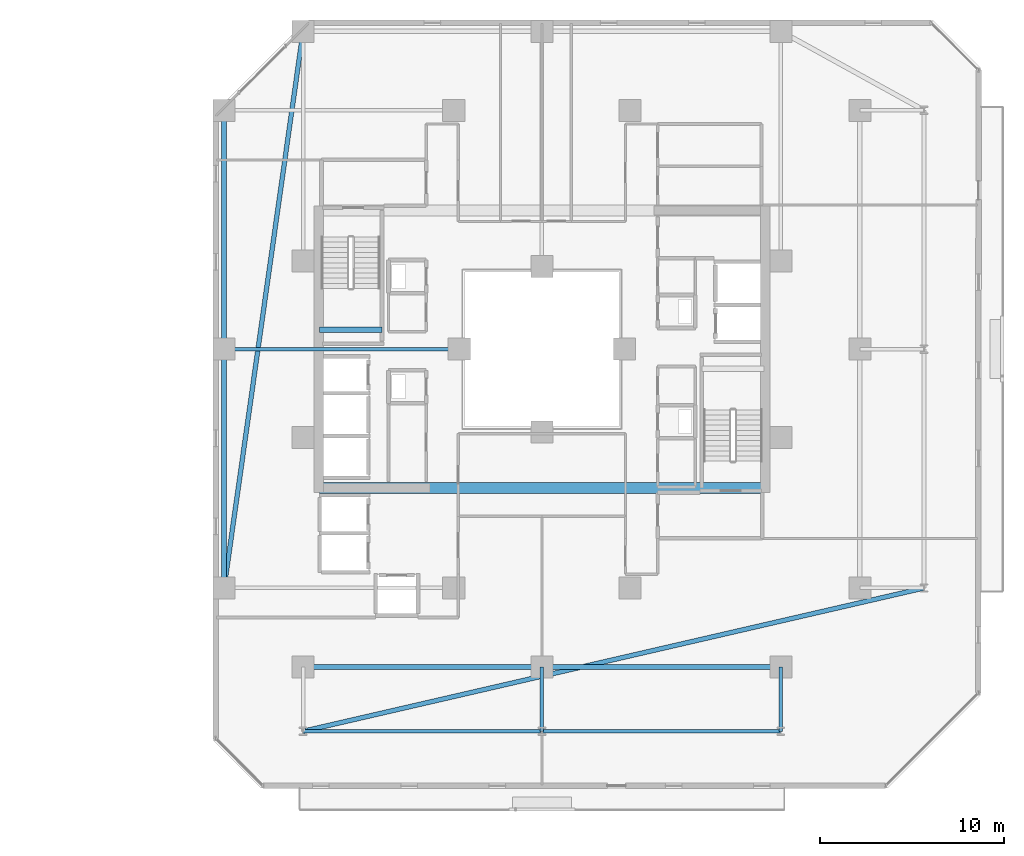
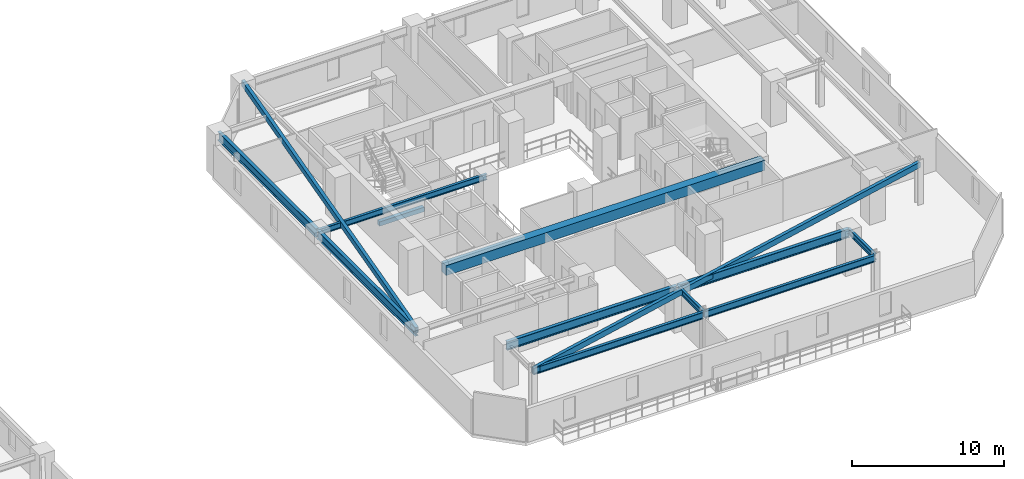
# One storey, part 11 of 33: 13 beams.
"""IFC4 building model written with IfcOpenShell, lengths in metres."""

from ifc_helpers import new_model, si_unit, direction, frame, origin, origin_2d, place, context, subcontext, project, spatial, rectangle, hollow_rectangle, i_section, extrude, material, material_profile, profile_set, type_object, element, save


model = new_model("IFC4")

# Units and contexts
model_context = context("Model", 3, precision=1e-05, world=origin(), true_north=direction((0.0, 1.0)))
body_context = subcontext(model_context, "Body", "Model", "MODEL_VIEW")
ifc_project = project(units=[si_unit("LENGTHUNIT", "METRE"), si_unit("AREAUNIT", "SQUARE_METRE"), si_unit("VOLUMEUNIT", "CUBIC_METRE"), si_unit("PLANEANGLEUNIT", "RADIAN"), si_unit("MASSUNIT", "GRAM", prefix="KILO")], contexts=[model_context])

# Site, building, storey
site_placement = place(None, origin())
site = spatial("IfcSite", under=ifc_project, at=site_placement, CompositionType="ELEMENT")
building_placement = place(site_placement, origin())
building = spatial("IfcBuilding", under=site, at=building_placement, Name="Thornwick Lancets Civic Towers", CompositionType="ELEMENT")
storey_placement = place(building_placement, frame((0.0, 0.0, 134.10009765625)))
storey = spatial("IfcBuildingStorey", under=building, at=storey_placement, Name="L35", CompositionType="ELEMENT", Elevation=134.10009765625)

# Beams
ifc_material_1 = material(Name="Concrete C60/75", Category="concrete")
ifc_material_profile_1 = material_profile(ifc_material_1, rectangle(XDim=0.60009765625, YDim=0.800048828125, at=origin_2d()), Name="RC 600x800")
ifc_profile_set_1 = profile_set([ifc_material_profile_1], Name="Concrete C60/75")
beam_type_1 = type_object("IfcBeamType", Name="BM_COUP_RC800", PredefinedType="BEAM", material=ifc_profile_set_1)
beam_1_placement = place(storey_placement, frame((76.39990234375, 19.449951171875, 2.9599609375), z_axis=(1.0, 0.0, 0.0), x_axis=(0.0, 1.0, 0.0)))
element("IfcBeam", 1, at=beam_1_placement, inside=storey, type_object=beam_type_1, Name="CB-L35-B2", PredefinedType="BEAM", context=body_context, shape_type="SweptSolid", body=[
    extrude(rectangle(XDim=0.60009765625, YDim=0.800048828125, at=origin_2d()), origin(), (0.0, 0.0, 1.0), 24.2001953125),
])
ifc_material_2 = material(Name="Steel S355JR", Category="steel")
ifc_material_profile_2 = material_profile(ifc_material_2, i_section(OverallWidth=0.2119140625, OverallDepth=0.54443359375, WebThickness=0.0126953125, FlangeThickness=0.021240234375, FilletRadius=0.0126953125, at=origin_2d()), Name="UKB 533x210x122")
ifc_profile_set_2 = profile_set([ifc_material_profile_2], Name="Steel S355JR")
beam_type_2 = type_object("IfcBeamType", Name="BM_EDGE_533_122", PredefinedType="SPANDREL", material=ifc_profile_set_2)
beam_2_placement = place(storey_placement, frame((101.5, 6.199951171875, 3.087646484375), z_axis=(-1.0, 0.0, 0.0), x_axis=(0.0, -1.0, 0.0)))
element("IfcBeam", 2, at=beam_2_placement, inside=storey, type_object=beam_type_2, Name="BM-EDGE-L35-B-S3-1", PredefinedType="SPANDREL", context=body_context, shape_type="SweptSolid", body=[
    extrude(i_section(OverallWidth=0.2119140625, OverallDepth=0.54443359375, WebThickness=0.0126953125, FlangeThickness=0.021240234375, FilletRadius=0.0126953125, at=origin_2d()), origin(), (0.0, 0.0, 1.0), 13.0),
])
beam_3_placement = place(storey_placement, frame((88.419921875, 6.199951171875, 3.087646484375), z_axis=(-1.0, 0.0, 0.0), x_axis=(0.0, -1.0, 0.0)))
element("IfcBeam", 3, at=beam_3_placement, inside=storey, type_object=beam_type_2, Name="BM-EDGE-L35-B-S3-2", PredefinedType="SPANDREL", context=body_context, shape_type="SweptSolid", body=[
    extrude(i_section(OverallWidth=0.2119140625, OverallDepth=0.54443359375, WebThickness=0.0126953125, FlangeThickness=0.021240234375, FilletRadius=0.0126953125, at=origin_2d()), origin(), (0.0, 0.0, 1.0), 12.919921875),
])
ifc_material_profile_3 = material_profile(ifc_material_2, i_section(OverallWidth=0.255859375, OverallDepth=0.69287109375, WebThickness=0.014404296875, FlangeThickness=0.023681640625, FilletRadius=0.01513671875, at=origin_2d()), Name="UKB 686x254x170")
ifc_profile_set_3 = profile_set([ifc_material_profile_3], Name="Steel S355JR")
beam_type_3 = type_object("IfcBeamType", Name="BM_GIRD_686_170", PredefinedType="BEAM", material=ifc_profile_set_3)
beam_4_placement = place(storey_placement, frame((71.199951171875, 14.0, 3.013427734375), z_axis=(0.0, 1.0, 0.0), x_axis=(-1.0, 0.0, 0.0)))
element("IfcBeam", 4, at=beam_4_placement, inside=storey, type_object=beam_type_3, Name="BM-SPINE-L35-B-6-7", PredefinedType="BEAM", context=body_context, shape_type="SweptSolid", body=[
    extrude(i_section(OverallWidth=0.255859375, OverallDepth=0.69287109375, WebThickness=0.014404296875, FlangeThickness=0.023681640625, FilletRadius=0.01513671875, at=origin_2d()), origin(), (0.0, 0.0, 1.0), 13.0),
])
beam_5_placement = place(storey_placement, frame((71.199951171875, 27.080078125, 3.013427734375), z_axis=(0.0, 1.0, 0.0), x_axis=(-1.0, 0.0, 0.0)))
element("IfcBeam", 5, at=beam_5_placement, inside=storey, type_object=beam_type_3, Name="BM-SPINE-L35-B-7-8", PredefinedType="BEAM", context=body_context, shape_type="SweptSolid", body=[
    extrude(i_section(OverallWidth=0.255859375, OverallDepth=0.69287109375, WebThickness=0.014404296875, FlangeThickness=0.023681640625, FilletRadius=0.01513671875, at=origin_2d()), origin(), (0.0, 0.0, 1.0), 12.919921875),
])
beam_6_placement = place(storey_placement, frame((101.5, 9.699951171875, 3.013427734375), z_axis=(-1.0, 0.0, 0.0), x_axis=(0.0, -1.0, 0.0)))
element("IfcBeam", 6, at=beam_6_placement, inside=storey, type_object=beam_type_3, Name="BM-SPINE-L35-B-9-10", PredefinedType="BEAM", context=body_context, shape_type="SweptSolid", body=[
    extrude(i_section(OverallWidth=0.255859375, OverallDepth=0.69287109375, WebThickness=0.014404296875, FlangeThickness=0.023681640625, FilletRadius=0.01513671875, at=origin_2d()), origin(), (0.0, 0.0, 1.0), 13.0),
])
beam_7_placement = place(storey_placement, frame((88.419921875, 9.699951171875, 3.013427734375), z_axis=(-1.0, 0.0, 0.0), x_axis=(0.0, -1.0, 0.0)))
element("IfcBeam", 7, at=beam_7_placement, inside=storey, type_object=beam_type_3, Name="BM-SPINE-L35-B-10-11", PredefinedType="BEAM", context=body_context, shape_type="SweptSolid", body=[
    extrude(i_section(OverallWidth=0.255859375, OverallDepth=0.69287109375, WebThickness=0.014404296875, FlangeThickness=0.023681640625, FilletRadius=0.01513671875, at=origin_2d()), origin(), (0.0, 0.0, 1.0), 12.919921875),
])
ifc_material_profile_4 = material_profile(ifc_material_2, i_section(OverallWidth=0.19287109375, OverallDepth=0.46728515625, WebThickness=0.011474609375, FlangeThickness=0.01953125, FilletRadius=0.01025390625, at=origin_2d()), Name="UKB 457x191x98")
ifc_profile_set_4 = profile_set([ifc_material_profile_4], Name="Steel S355JR")
beam_type_4 = type_object("IfcBeamType", Name="BM_JOIST_457_98", PredefinedType="JOIST", material=ifc_profile_set_4)
beam_8_placement = place(storey_placement, frame((84.0, 27.0, 3.126220703125), z_axis=(-1.0, 0.0, 0.0), x_axis=(0.0, -1.0, 0.0)))
element("IfcBeam", 8, at=beam_8_placement, inside=storey, type_object=beam_type_4, Name="BM-RADIN-L35-B08", PredefinedType="JOIST", context=body_context, shape_type="SweptSolid", body=[
    extrude(i_section(OverallWidth=0.19287109375, OverallDepth=0.46728515625, WebThickness=0.011474609375, FlangeThickness=0.01953125, FilletRadius=0.01025390625, at=origin_2d()), origin(), (0.0, 0.0, 1.0), 12.800048828125),
])
for number, where, z_axis, x_axis, name in (
    (9, (101.5, 9.699951171875, 3.126220703125), (0.0, -1.0, 0.0), (1.0, 0.0, 0.0), "BM-RAD-L35-B10"),
    (10, (88.5, 9.699951171875, 3.126220703125), (0.0, -1.0, 0.0), (1.0, 0.0, 0.0), "BM-RAD-L35-B11"),
):
    element("IfcBeam", number, at=place(storey_placement, frame(where, z_axis=z_axis, x_axis=x_axis)), inside=storey, type_object=beam_type_4, Name=name, PredefinedType="JOIST", context=body_context, shape_type="SweptSolid", body=[
        extrude(i_section(OverallWidth=0.19287109375, OverallDepth=0.46728515625, WebThickness=0.011474609375, FlangeThickness=0.01953125, FilletRadius=0.01025390625, at=origin_2d()), origin(), (0.0, 0.0, 1.0), 3.5),
    ])
ifc_material_profile_5 = material_profile(ifc_material_2, hollow_rectangle(XDim=0.25, YDim=0.449951171875, WallThickness=0.01611328125, at=origin_2d()), Name="RHS 450x250x16")
ifc_profile_set_5 = profile_set([ifc_material_profile_5], Name="Steel S355JR")
beam_type_5 = type_object("IfcBeamType", Name="BM_RING_RHS450", PredefinedType="BEAM", material=ifc_profile_set_5)
beam_9_placement = place(storey_placement, frame((75.5, 44.300048828125, 3.135009765625), z_axis=(-0.140507712682, -0.990079584012, 0.0), x_axis=(0.990079584012, -0.140507712682, 0.0)))
element("IfcBeam", 11, at=beam_9_placement, inside=storey, type_object=beam_type_5, Name="BM-CHAMF-L35-B-C1", PredefinedType="BEAM", context=body_context, shape_type="SweptSolid", body=[
    extrude(hollow_rectangle(XDim=0.25, YDim=0.449951171875, WallThickness=0.01611328125, at=origin_2d()), origin(), (0.0, 0.0, 1.0), 30.603759765625),
])
beam_10_placement = place(storey_placement, frame((75.5, 6.199951171875, 3.135009765625), z_axis=(0.974390958454, 0.224860534737, 0.0), x_axis=(-0.224860534737, 0.974390958454, 0.0)))
element("IfcBeam", 12, at=beam_10_placement, inside=storey, type_object=beam_type_5, Name="BM-CHAMF-L35-B-C3", PredefinedType="BEAM", context=body_context, shape_type="SweptSolid", body=[
    extrude(hollow_rectangle(XDim=0.25, YDim=0.449951171875, WallThickness=0.01611328125, at=origin_2d()), origin(), (0.0, 0.0, 1.0), 34.6884765625),
])
ifc_material_3 = material(Name="Concrete C40/50", Category="concrete")
ifc_material_profile_6 = material_profile(ifc_material_3, rectangle(XDim=0.300048828125, YDim=0.35009765625, at=origin_2d()), Name="RC 300x350")
ifc_profile_set_6 = profile_set([ifc_material_profile_6], Name="Concrete C40/50")
beam_type_6 = type_object("IfcBeamType", Name="BM_STAIR_LDG", PredefinedType="BEAM", material=ifc_profile_set_6)
beam_11_placement = place(storey_placement, frame((76.39990234375, 28.06494140625, 1.3779296875), z_axis=(1.0, 0.0, 0.0), x_axis=(0.0, 1.0, 0.0)))
element("IfcBeam", 13, at=beam_11_placement, inside=storey, type_object=beam_type_6, Name="L35 ST-B2 Landing Support Beam 1", PredefinedType="BEAM", context=body_context, shape_type="SweptSolid", body=[
    extrude(rectangle(XDim=0.300048828125, YDim=0.35009765625, at=origin_2d()), origin(), (0.0, 0.0, 1.0), 3.400146484375),
])

save(model, "model.ifc")
